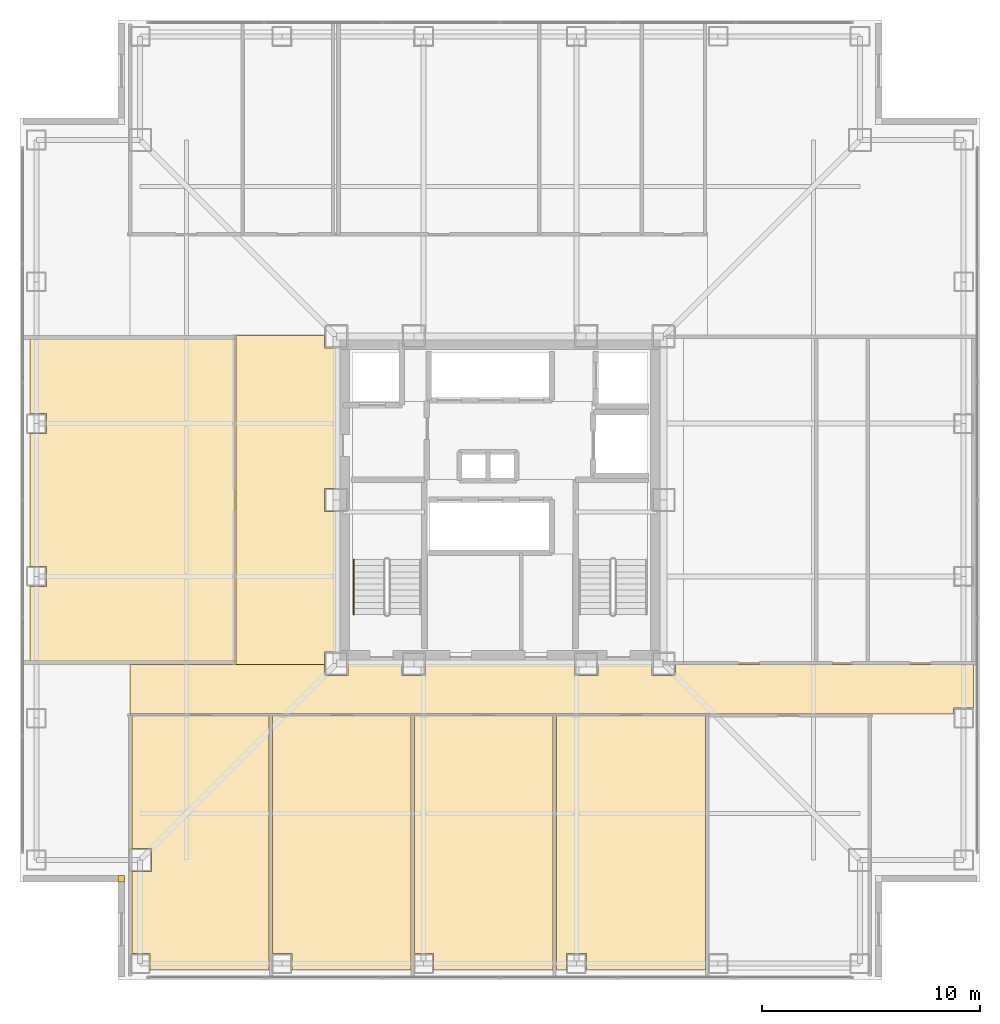
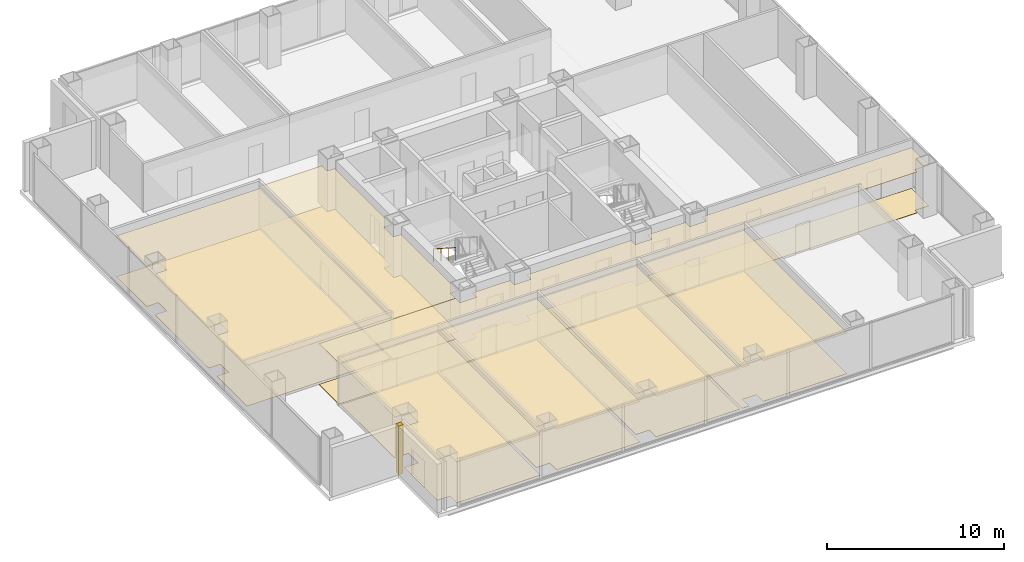
# One storey, part 15 of 17: 15 coverings, 1 railing.
"""IFC4 building model written with IfcOpenShell, lengths in metres."""

import ifcopenshell
import ifcopenshell.guid

model = None  # the IFC model being written
_history = None  # IfcOwnerHistory: only IFC2X3 demands one
_inside = {}  # id of a spatial element -> (the spatial element, [elements in it])
_under = {}  # id of a project, library or spatial element -> (it, [spatial elements below it])
_declared = {}  # id of a project -> (the project, [libraries it declares])
_typed = {}  # id of a type object -> (the type object, [elements of that type])
_made_of = {}  # id of a material, layer set ... -> (it, [elements and type objects made of it])


def new_model(schema):
    """Start an empty IFC model of exactly this schema.

    Asked for "IFC4X3", IfcOpenShell would pick the latest addendum, in which some entities
    have other attributes; the version numbers below select the first issue.
    IFC2X3 requires an IfcOwnerHistory on every rooted entity: one is made here for all.
    """
    global model, _history
    if schema == "IFC4X3":
        model = ifcopenshell.file(schema_version=(4, 3, 0, 0))
    else:
        model = ifcopenshell.file(schema=schema)
    _inside.clear()
    _under.clear()
    _declared.clear()
    _typed.clear()
    _made_of.clear()
    _history = None
    if model.schema == "IFC2X3":
        org = make("IfcOrganization", Name="unknown")
        user = make(
            "IfcPersonAndOrganization",
            ThePerson=make("IfcPerson", FamilyName="unknown"),
            TheOrganization=org,
        )
        app = make(
            "IfcApplication",
            ApplicationDeveloper=org,
            Version="unknown",
            ApplicationFullName="unknown",
            ApplicationIdentifier="unknown",
        )
        _history = make(
            "IfcOwnerHistory",
            OwningUser=user,
            OwningApplication=app,
            ChangeAction="ADDED",
            CreationDate=0,
        )
    return model


def make(cls, **values):
    """One entity of the class cls with the attributes given. An attribute that is None is left unset."""
    return model.create_entity(
        cls, **{name: value for name, value in values.items() if value is not None}
    )


def rooted(cls, **values):
    """An entity with a GlobalId (a new one), such as an element, a storey or a relation."""
    return make(cls, GlobalId=ifcopenshell.guid.new(), OwnerHistory=_history, **values)


def si_unit(unit_type, name, prefix=None):
    """IfcSIUnit, for example si_unit("LENGTHUNIT", "METRE", prefix="MILLI")."""
    return make("IfcSIUnit", UnitType=unit_type, Prefix=prefix, Name=name)


def assignment(units):
    """IfcUnitAssignment: the units of a project."""
    return None if units is None else make("IfcUnitAssignment", Units=units)


def point(xyz):
    """IfcCartesianPoint."""
    return None if xyz is None else make("IfcCartesianPoint", Coordinates=xyz)


def direction(xyz):
    """IfcDirection."""
    return None if xyz is None else make("IfcDirection", DirectionRatios=xyz)


def frame(location, z_axis=None, x_axis=None):
    """IfcAxis2Placement3D, a coordinate frame: its origin and axes. An axis left out is left unset."""
    return make(
        "IfcAxis2Placement3D",
        Location=point(location),
        Axis=direction(z_axis),
        RefDirection=direction(x_axis),
    )


def frame_2d(location, x_axis=None):
    """IfcAxis2Placement2D, a coordinate frame in the plane: its origin and x axis."""
    return make(
        "IfcAxis2Placement2D", Location=point(location), RefDirection=direction(x_axis)
    )


def origin():
    """The frame at (0, 0, 0) with its axes left unset."""
    return frame((0.0, 0.0, 0.0))


def origin_2d():
    """The frame at (0, 0) in the plane with its x axis left unset."""
    return frame_2d((0.0, 0.0))


def place(relative_to, where):
    """IfcLocalPlacement: puts the frame where relative to a parent placement (None: the world)."""
    return make(
        "IfcLocalPlacement", PlacementRelTo=relative_to, RelativePlacement=where
    )


def context(
    kind, dimensions, precision=None, world=None, true_north=None, identifier=None
):
    """IfcGeometricRepresentationContext, for example the 3D "Model" context."""
    return make(
        "IfcGeometricRepresentationContext",
        ContextIdentifier=identifier,
        ContextType=kind,
        CoordinateSpaceDimension=dimensions,
        Precision=precision,
        WorldCoordinateSystem=world,
        TrueNorth=true_north,
    )


def subcontext(parent, identifier, kind, view, scale=None):
    """IfcGeometricRepresentationSubContext, for example "Body" below "Model"."""
    return make(
        "IfcGeometricRepresentationSubContext",
        ContextIdentifier=identifier,
        ContextType=kind,
        ParentContext=parent,
        TargetScale=scale,
        TargetView=view,
    )


def project(units=None, contexts=None):
    """IfcProject with its units and contexts."""
    return rooted(
        "IfcProject",
        Name="project",
        RepresentationContexts=contexts,
        UnitsInContext=assignment(units),
    )


def spatial(cls, under=None, at=None, **own):
    """A site, building, storey or space (cls), placed at a placement, below another one or the project."""
    s = rooted(cls, ObjectPlacement=at, **own)
    if under is not None:
        _under.setdefault(under.id(), (under, []))[1].append(s)
    return s


def polyline(points):
    """IfcPolyline through the points."""
    return make("IfcPolyline", Points=[point(p) for p in points])


def profile(cls, at=None, kind="AREA", **sizes):
    """A parametric profile (cls). Its sizes go by their IFC names, for example OverallWidth=200.0."""
    return make(cls, ProfileType=kind, Position=at, **sizes)


def circle(**sizes):
    """IfcCircleProfileDef."""
    return profile("IfcCircleProfileDef", **sizes)


def outline(outer, holes=None, kind="AREA"):
    """IfcArbitraryClosedProfileDef: a profile drawn as a closed curve; with holes, ...WithVoids."""
    if holes is None:
        return make("IfcArbitraryClosedProfileDef", ProfileType=kind, OuterCurve=outer)
    return make(
        "IfcArbitraryProfileDefWithVoids",
        ProfileType=kind,
        OuterCurve=outer,
        InnerCurves=holes,
    )


def extrude(swept, where, along, depth):
    """IfcExtrudedAreaSolid: the profile swept, set in the frame where, extruded along a direction by depth."""
    return make(
        "IfcExtrudedAreaSolid",
        SweptArea=swept,
        Position=where,
        ExtrudedDirection=direction(along),
        Depth=depth,
    )


def shape(context_of_items, identifier, shape_type, items):
    """IfcShapeRepresentation: the items that make up one representation, for example the "Body"."""
    return make(
        "IfcShapeRepresentation",
        ContextOfItems=context_of_items,
        RepresentationIdentifier=identifier,
        RepresentationType=shape_type,
        Items=items,
    )


def material(Name=None, Category=None):
    """IfcMaterial."""
    return make("IfcMaterial", Name=Name, Category=Category)


def layer(
    of_material, thickness, ventilated=None, Name=None, Category=None, Priority=None
):
    """IfcMaterialLayer: one layer of a wall or slab, of a material (None: an air gap)."""
    return make(
        "IfcMaterialLayer",
        Material=of_material,
        LayerThickness=thickness,
        IsVentilated=ventilated,
        Name=Name,
        Category=Category,
        Priority=Priority,
    )


def layer_set(layers, Name=None):
    """IfcMaterialLayerSet."""
    return make("IfcMaterialLayerSet", MaterialLayers=layers, LayerSetName=Name)


def made_of(thing, what):
    """Note that an element or type object is made of a material, layer set ...; save() writes the relation."""
    if what is not None:
        _made_of.setdefault(what.id(), (what, []))[1].append(thing)
    return thing


def type_object(cls, material=None, **own):
    """A type object (cls), such as IfcWallType, which elements share."""
    return made_of(rooted(cls, **own), material)


def element(
    cls,
    number,
    at=None,
    inside=None,
    cuts=None,
    type_object=None,
    material=None,
    context=None,
    identifier="Body",
    shape_type=None,
    held_by="IfcProductDefinitionShape",
    body=None,
    shapes=None,
    **own,
):
    """One element of the class cls, such as IfcWall. Its Tag is "e" and its number.

    at: its placement. inside: the storey or other place that contains it. cuts: it is an
    opening in that element (IfcRelVoidsElement). A single representation is given by context,
    identifier, shape_type and body (its items); several are given by shapes. held_by: the class
    of the entity that holds the representations. save() writes the other relations.
    """
    e = rooted(cls, Tag="e%d" % number, ObjectPlacement=at, **own)
    if body is not None:
        shapes = [shape(context, identifier, shape_type, body)]
    if shapes is not None:
        e.Representation = make(held_by, Representations=shapes)
    if inside is not None:
        _inside.setdefault(inside.id(), (inside, []))[1].append(e)
    if cuts is not None:
        rooted(
            "IfcRelVoidsElement", RelatingBuildingElement=cuts, RelatedOpeningElement=e
        )
    if type_object is not None:
        _typed.setdefault(type_object.id(), (type_object, []))[1].append(e)
    return made_of(e, material)


def aggregate(whole, parts):
    """IfcRelAggregates: a whole, such as a stair, and the parts it consists of."""
    return rooted("IfcRelAggregates", RelatingObject=whole, RelatedObjects=parts)


def save(model, path):
    """Write the relations noted so far, then the file.

    IfcRelAggregates (storeys below a building ...), IfcRelContainedInSpatialStructure (elements
    in a storey), IfcRelDefinesByType, IfcRelAssociatesMaterial and IfcRelDeclares: one each for
    every whole, place, type object, material and project.
    """
    for whole, parts in _under.values():
        aggregate(whole, parts)
    for where, things in _inside.values():
        rooted(
            "IfcRelContainedInSpatialStructure",
            RelatedElements=things,
            RelatingStructure=where,
        )
    for kind, things in _typed.values():
        rooted("IfcRelDefinesByType", RelatedObjects=things, RelatingType=kind)
    for what, things in _made_of.values():
        rooted("IfcRelAssociatesMaterial", RelatedObjects=things, RelatingMaterial=what)
    for by, libraries in _declared.values():
        rooted("IfcRelDeclares", RelatingContext=by, RelatedDefinitions=libraries)
    model.write(path)


model = new_model("IFC4")

# Units and contexts
model_context = context("Model", 3, precision=1e-05, world=origin(), true_north=direction((0.0, 1.0)))
body_context = subcontext(model_context, "Body", "Model", "MODEL_VIEW")
ifc_project = project(units=[si_unit("LENGTHUNIT", "METRE"), si_unit("AREAUNIT", "SQUARE_METRE"), si_unit("VOLUMEUNIT", "CUBIC_METRE"), si_unit("PLANEANGLEUNIT", "RADIAN"), si_unit("MASSUNIT", "GRAM", prefix="KILO")], contexts=[model_context])

# Site, building, storey
site_placement = place(None, origin())
site = spatial("IfcSite", under=ifc_project, at=site_placement, CompositionType="ELEMENT")
building_placement = place(site_placement, origin())
building = spatial("IfcBuilding", under=site, at=building_placement, Name="Trevonay Congress Spire", CompositionType="ELEMENT")
storey_placement = place(building_placement, frame((0.0, 0.0, 108.39990234375)))
storey = spatial("IfcBuildingStorey", under=building, at=storey_placement, Name="L27", CompositionType="ELEMENT", Elevation=108.39990234375)

# Coverings
ifc_material_1 = material(Name="Acoustic Mineral Fibre Board", Category="gypsum")
ifc_layer_1 = layer(ifc_material_1, 0.02490234375, Name="Acoustic Mineral Fibre Board")
ifc_layer_set_1 = layer_set([ifc_layer_1], Name="Acoustic Mineral Fibre Board")
covering_type_1 = type_object("IfcCoveringType", Name="COV-CEIL-ACOUSTIC", PredefinedType="CEILING", material=ifc_layer_set_1)
covering_1_placement = place(storey_placement, frame((0.0, 0.0, 2.81005859375)))
element("IfcCovering", 1, at=covering_1_placement, inside=storey, type_object=covering_type_1, Name="L27 Congress South Spine Corridor acoustic suspended ceiling", PredefinedType="CEILING", context=body_context, shape_type="SweptSolid", body=[
    extrude(outline(polyline([(-16.949951171875, -9.800048828125), (-16.949951171875, -7.550048828125), (-8.034912109375, -7.550048828125), (-8.034912109375, -8.034912109375), (-6.965087890625, -8.034912109375), (-6.965087890625, -7.550048828125), (-4.485107421875, -7.550048828125), (-4.485107421875, -8.034912109375), (-3.4150390625, -8.034912109375), (-3.4150390625, -7.550048828125), (3.4150390625, -7.550048828125), (3.4150390625, -8.034912109375), (4.485107421875, -8.034912109375), (4.485107421875, -7.550048828125), (6.965087890625, -7.550048828125), (6.965087890625, -8.034912109375), (8.034912109375, -8.034912109375), (8.034912109375, -7.550048828125), (21.699951171875, -7.550048828125), (21.699951171875, -9.5400390625), (20.7900390625, -9.5400390625), (20.7900390625, -9.800048828125), (-16.949951171875, -9.800048828125)])), origin(), (0.0, 0.0, 1.0), 0.025146484375),
])
covering_2_placement = place(storey_placement, frame((0.0, 0.0, 2.81005859375)))
element("IfcCovering", 2, at=covering_2_placement, inside=storey, type_object=covering_type_1, Name="L27 West Sky Promenade Salon acoustic suspended ceiling", PredefinedType="CEILING", context=body_context, shape_type="SweptSolid", body=[
    extrude(outline(polyline([(-12.10009765625, 7.550048828125), (-8.034912109375, 7.550048828125), (-8.034912109375, 6.965087890625), (-7.550048828125, 6.965087890625), (-7.550048828125, 0.534912109375), (-8.034912109375, 0.534912109375), (-8.034912109375, -0.534912109375), (-7.550048828125, -0.534912109375), (-7.550048828125, -6.965087890625), (-8.034912109375, -6.965087890625), (-8.034912109375, -7.5400390625), (-12.10009765625, -7.5400390625), (-12.10009765625, 7.550048828125)])), origin(), (0.0, 0.0, 1.0), 0.025146484375),
])
covering_3_placement = place(storey_placement, frame((0.0, 0.0, 2.81005859375)))
element("IfcCovering", 3, at=covering_3_placement, inside=storey, type_object=covering_type_1, Name="L27 Economic Secretariat Office 1 acoustic suspended ceiling", PredefinedType="CEILING", context=body_context, shape_type="SweptSolid", body=[
    extrude(outline(polyline([(-16.8701171875, -9.8798828125), (-10.580078125, -9.8798828125), (-10.580078125, -21.550048828125), (-16.0400390625, -21.550048828125), (-16.0400390625, -20.7900390625), (-16.8701171875, -20.7900390625), (-16.8701171875, -17.034912109375), (-15.965087890625, -17.034912109375), (-15.965087890625, -15.965087890625), (-16.8701171875, -15.965087890625), (-16.8701171875, -9.8798828125)])), origin(), (0.0, 0.0, 1.0), 0.025146484375),
])
covering_4_placement = place(storey_placement, frame((0.0, 0.0, 2.81005859375)))
element("IfcCovering", 4, at=covering_4_placement, inside=storey, type_object=covering_type_1, Name="L27 Economic Secretariat Office 2 acoustic suspended ceiling", PredefinedType="CEILING", context=body_context, shape_type="SweptSolid", body=[
    extrude(outline(polyline([(-10.419921875, -9.8798828125), (-4.080078125, -9.8798828125), (-4.080078125, -21.550048828125), (-9.5400390625, -21.550048828125), (-9.5400390625, -20.7900390625), (-10.419921875, -20.7900390625), (-10.419921875, -9.8798828125)])), origin(), (0.0, 0.0, 1.0), 0.025146484375),
])
covering_5_placement = place(storey_placement, frame((0.0, 0.0, 2.81005859375)))
element("IfcCovering", 5, at=covering_5_placement, inside=storey, type_object=covering_type_1, Name="L27 Legal Counsel Office 3 acoustic suspended ceiling", PredefinedType="CEILING", context=body_context, shape_type="SweptSolid", body=[
    extrude(outline(polyline([(-3.919921875, -9.8798828125), (2.419921875, -9.8798828125), (2.419921875, -21.550048828125), (-3.0400390625, -21.550048828125), (-3.0400390625, -20.7900390625), (-3.919921875, -20.7900390625), (-3.919921875, -9.8798828125)])), origin(), (0.0, 0.0, 1.0), 0.025146484375),
])
covering_6_placement = place(storey_placement, frame((0.0, 0.0, 2.81005859375)))
element("IfcCovering", 6, at=covering_6_placement, inside=storey, type_object=covering_type_1, Name="L27 Statistical Analysis Office 4 acoustic suspended ceiling", PredefinedType="CEILING", context=body_context, shape_type="SweptSolid", body=[
    extrude(outline(polyline([(2.580078125, -21.550048828125), (2.580078125, -9.8798828125), (9.419921875, -9.8798828125), (9.419921875, -21.550048828125), (3.9599609375, -21.550048828125), (3.9599609375, -20.7900390625), (3.0400390625, -20.7900390625), (3.0400390625, -21.550048828125), (2.580078125, -21.550048828125)])), origin(), (0.0, 0.0, 1.0), 0.025146484375),
])
covering_7_placement = place(storey_placement, frame((0.0, 0.0, 2.81005859375)))
element("IfcCovering", 7, at=covering_7_placement, inside=storey, type_object=covering_type_1, Name="L27 West Open-Plan Research Office acoustic suspended ceiling", PredefinedType="CEILING", context=body_context, shape_type="SweptSolid", body=[
    extrude(outline(polyline([(-21.550048828125, 7.3701171875), (-12.179931640625, 7.3701171875), (-12.179931640625, -7.3701171875), (-21.550048828125, -7.3701171875), (-21.550048828125, -3.9599609375), (-20.7900390625, -3.9599609375), (-20.7900390625, -3.0400390625), (-21.550048828125, -3.0400390625), (-21.550048828125, 3.0400390625), (-20.7900390625, 3.0400390625), (-20.7900390625, 3.9599609375), (-21.550048828125, 3.9599609375), (-21.550048828125, 7.3701171875)])), origin(), (0.0, 0.0, 1.0), 0.025146484375),
])
ifc_material_2 = material(Name="Polished Granite Floor Tile", Category="masonry")
ifc_layer_2 = layer(ifc_material_2, 0.02001953125, Name="Polished Granite Floor Tile")
ifc_layer_set_2 = layer_set([ifc_layer_2], Name="Polished Granite Floor Tile")
covering_type_2 = type_object("IfcCoveringType", Name="COV-FLOOR-STONE", PredefinedType="FLOORING", material=ifc_layer_set_2)
covering_8_placement = place(storey_placement, origin())
element("IfcCovering", 8, at=covering_8_placement, inside=storey, type_object=covering_type_2, Name="L27 Congress South Spine Corridor floor finish", PredefinedType="FLOORING", context=body_context, shape_type="SweptSolid", body=[
    extrude(outline(polyline([(-16.949951171875, -9.800048828125), (-16.949951171875, -7.550048828125), (-8.034912109375, -7.550048828125), (-8.034912109375, -8.034912109375), (-6.965087890625, -8.034912109375), (-6.965087890625, -7.550048828125), (-4.485107421875, -7.550048828125), (-4.485107421875, -8.034912109375), (-3.4150390625, -8.034912109375), (-3.4150390625, -7.550048828125), (3.4150390625, -7.550048828125), (3.4150390625, -8.034912109375), (4.485107421875, -8.034912109375), (4.485107421875, -7.550048828125), (6.965087890625, -7.550048828125), (6.965087890625, -8.034912109375), (8.034912109375, -8.034912109375), (8.034912109375, -7.550048828125), (21.699951171875, -7.550048828125), (21.699951171875, -9.5400390625), (20.7900390625, -9.5400390625), (20.7900390625, -9.800048828125), (-16.949951171875, -9.800048828125)])), origin(), (0.0, 0.0, 1.0), 0.02001953125),
])
ifc_material_3 = material(Name="Engineered Oak Flooring", Category="wood")
ifc_layer_3 = layer(ifc_material_3, 0.01806640625, Name="Engineered Oak Flooring")
ifc_layer_set_3 = layer_set([ifc_layer_3], Name="Engineered Oak Flooring")
covering_type_3 = type_object("IfcCoveringType", Name="COV-FLOOR-TIMBER", PredefinedType="FLOORING", material=ifc_layer_set_3)
covering_9_placement = place(storey_placement, origin())
element("IfcCovering", 9, at=covering_9_placement, inside=storey, type_object=covering_type_3, Name="L27 West Sky Promenade Salon floor finish", PredefinedType="FLOORING", context=body_context, shape_type="SweptSolid", body=[
    extrude(outline(polyline([(-12.10009765625, 7.550048828125), (-8.034912109375, 7.550048828125), (-8.034912109375, 6.965087890625), (-7.550048828125, 6.965087890625), (-7.550048828125, 0.534912109375), (-8.034912109375, 0.534912109375), (-8.034912109375, -0.534912109375), (-7.550048828125, -0.534912109375), (-7.550048828125, -6.965087890625), (-8.034912109375, -6.965087890625), (-8.034912109375, -7.5400390625), (-12.10009765625, -7.5400390625), (-12.10009765625, 7.550048828125)])), origin(), (0.0, 0.0, 1.0), 0.01806640625),
])
covering_10_placement = place(storey_placement, origin())
element("IfcCovering", 10, at=covering_10_placement, inside=storey, type_object=covering_type_3, Name="L27 Economic Secretariat Office 1 floor finish", PredefinedType="FLOORING", context=body_context, shape_type="SweptSolid", body=[
    extrude(outline(polyline([(-16.8701171875, -9.8798828125), (-10.580078125, -9.8798828125), (-10.580078125, -21.550048828125), (-16.0400390625, -21.550048828125), (-16.0400390625, -20.7900390625), (-16.8701171875, -20.7900390625), (-16.8701171875, -17.034912109375), (-15.965087890625, -17.034912109375), (-15.965087890625, -15.965087890625), (-16.8701171875, -15.965087890625), (-16.8701171875, -9.8798828125)])), origin(), (0.0, 0.0, 1.0), 0.01806640625),
])
covering_11_placement = place(storey_placement, origin())
element("IfcCovering", 11, at=covering_11_placement, inside=storey, type_object=covering_type_3, Name="L27 Economic Secretariat Office 2 floor finish", PredefinedType="FLOORING", context=body_context, shape_type="SweptSolid", body=[
    extrude(outline(polyline([(-10.419921875, -9.8798828125), (-4.080078125, -9.8798828125), (-4.080078125, -21.550048828125), (-9.5400390625, -21.550048828125), (-9.5400390625, -20.7900390625), (-10.419921875, -20.7900390625), (-10.419921875, -9.8798828125)])), origin(), (0.0, 0.0, 1.0), 0.01806640625),
])
covering_12_placement = place(storey_placement, origin())
element("IfcCovering", 12, at=covering_12_placement, inside=storey, type_object=covering_type_3, Name="L27 Legal Counsel Office 3 floor finish", PredefinedType="FLOORING", context=body_context, shape_type="SweptSolid", body=[
    extrude(outline(polyline([(-3.919921875, -9.8798828125), (2.419921875, -9.8798828125), (2.419921875, -21.550048828125), (-3.0400390625, -21.550048828125), (-3.0400390625, -20.7900390625), (-3.919921875, -20.7900390625), (-3.919921875, -9.8798828125)])), origin(), (0.0, 0.0, 1.0), 0.01806640625),
])
covering_13_placement = place(storey_placement, origin())
element("IfcCovering", 13, at=covering_13_placement, inside=storey, type_object=covering_type_3, Name="L27 Statistical Analysis Office 4 floor finish", PredefinedType="FLOORING", context=body_context, shape_type="SweptSolid", body=[
    extrude(outline(polyline([(2.580078125, -21.550048828125), (2.580078125, -9.8798828125), (9.419921875, -9.8798828125), (9.419921875, -21.550048828125), (3.9599609375, -21.550048828125), (3.9599609375, -20.7900390625), (3.0400390625, -20.7900390625), (3.0400390625, -21.550048828125), (2.580078125, -21.550048828125)])), origin(), (0.0, 0.0, 1.0), 0.01806640625),
])
covering_14_placement = place(storey_placement, origin())
element("IfcCovering", 14, at=covering_14_placement, inside=storey, type_object=covering_type_3, Name="L27 West Open-Plan Research Office floor finish", PredefinedType="FLOORING", context=body_context, shape_type="SweptSolid", body=[
    extrude(outline(polyline([(-21.550048828125, 7.3701171875), (-12.179931640625, 7.3701171875), (-12.179931640625, -7.3701171875), (-21.550048828125, -7.3701171875), (-21.550048828125, -3.9599609375), (-20.7900390625, -3.9599609375), (-20.7900390625, -3.0400390625), (-21.550048828125, -3.0400390625), (-21.550048828125, 3.0400390625), (-20.7900390625, 3.0400390625), (-20.7900390625, 3.9599609375), (-21.550048828125, 3.9599609375), (-21.550048828125, 7.3701171875)])), origin(), (0.0, 0.0, 1.0), 0.01806640625),
])
ifc_material_4 = material(Name="Pale Anodised Aluminium EN AW-6063-T6", Category="aluminium")
ifc_layer_4 = layer(ifc_material_4, 0.0400390625, Name="Pale Anodised Aluminium EN AW-6063-T6")
ifc_layer_set_4 = layer_set([ifc_layer_4], Name="Pale Anodised Aluminium EN AW-6063-T6")
covering_type_4 = type_object("IfcCoveringType", Name="COV-SPANDREL-PALE-METAL", PredefinedType="CLADDING", material=ifc_layer_set_4)
covering_15_placement = place(storey_placement, origin())
element("IfcCovering", 15, at=covering_15_placement, inside=storey, type_object=covering_type_4, Name="L27 SW re-entrant notch corner closure trim", PredefinedType="CLADDING", context=body_context, shape_type="SweptSolid", body=[
    extrude(outline(polyline([(-17.5, -17.5), (-17.199951171875, -17.5), (-17.199951171875, -17.199951171875), (-17.5, -17.199951171875), (-17.5, -17.5)])), origin(), (0.0, 0.0, 1.0), 3.360107421875),
])

# Railing
railing_type = type_object("IfcRailingType", Name="RAL-STAIR-HANDRAIL", PredefinedType="HANDRAIL", material=ifc_material_4)
railing_placement = place(storey_placement, frame((-6.699951171875, -2.72998046875, 1.97998046875)))
element("IfcRailing", 16, at=railing_placement, inside=storey, type_object=railing_type, Name="L27 ST-1 stair handrail 2", PredefinedType="HANDRAIL", context=body_context, shape_type="SweptSolid", body=[
    extrude(circle(Radius=0.02392578125, at=origin_2d()), frame((0.0, 0.0, 0.8759765625), z_axis=(0.0, -0.841162588446, 0.540782303519), x_axis=(1.0, 0.0, 0.0)), (0.0, 0.0, 1.0), 2.995849609375),
    extrude(circle(Radius=0.02099609375, at=origin_2d()), origin(), (0.0, 0.0, 1.0), 0.851806640625),
    extrude(circle(Radius=0.02099609375, at=origin_2d()), frame((0.0, -0.840087890625, 0.5400390625)), (0.0, 0.0, 1.0), 0.851806640625),
    extrude(circle(Radius=0.02099609375, at=origin_2d()), frame((0.0, -1.679931640625, 1.080078125)), (0.0, 0.0, 1.0), 0.851806640625),
    extrude(circle(Radius=0.02099609375, at=origin_2d()), frame((0.0, -2.52001953125, 1.6201171875)), (0.0, 0.0, 1.0), 0.851806640625),
])

save(model, "model.ifc")
